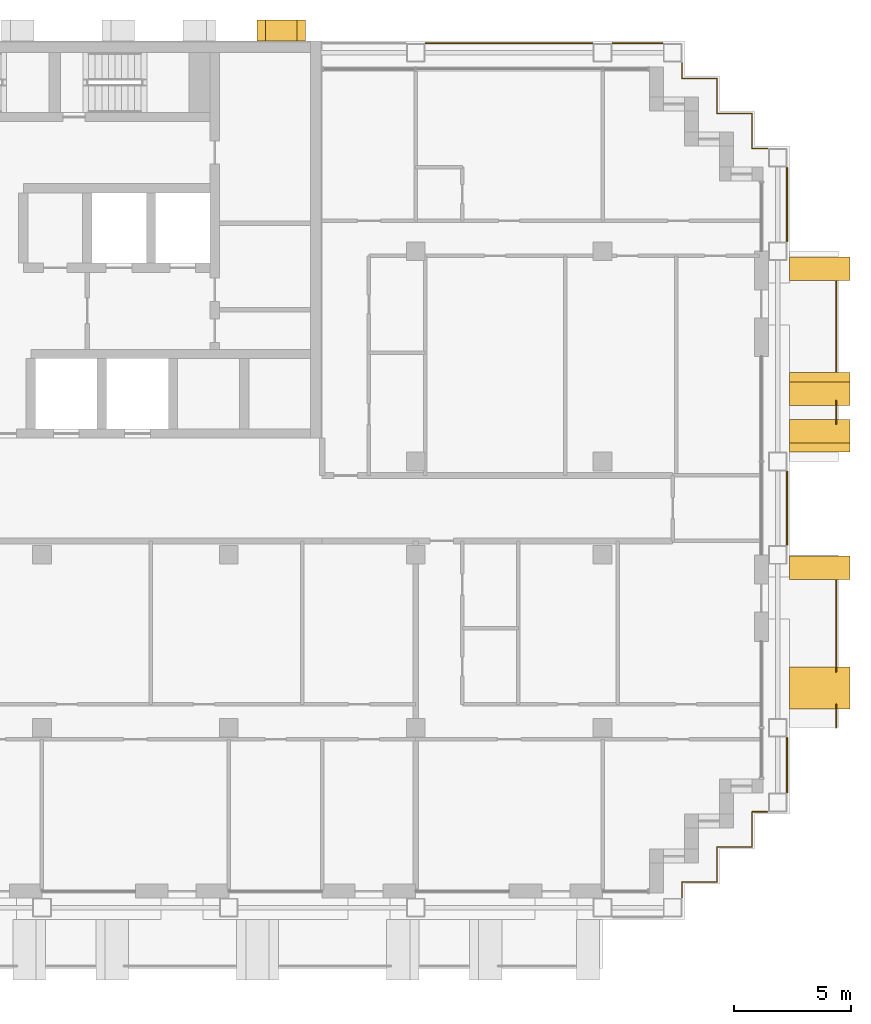
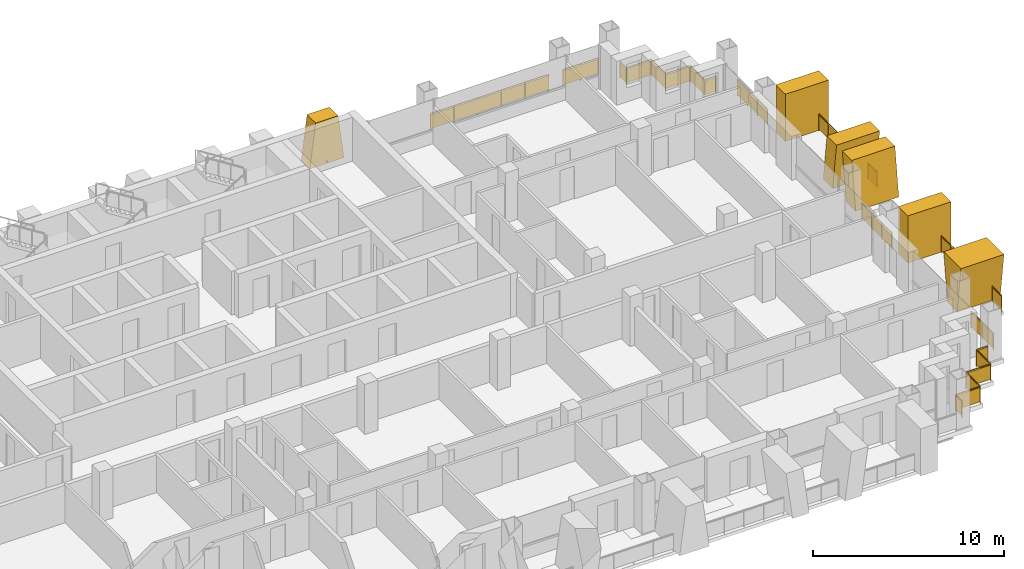
# One storey, part 17 of 17: 11 railings, 6 shading devices.
"""IFC4 building model written with IfcOpenShell, lengths in metres."""

from ifc_helpers import new_model, si_unit, direction, frame, origin, origin_2d, place, context, subcontext, project, spatial, polyline, rectangle, circle, outline, extrude, material, layer, layer_set, type_object, element, save


model = new_model("IFC4")

# Units and contexts
model_context = context("Model", 3, precision=1e-05, world=origin(), true_north=direction((0.0, 1.0)))
body_context = subcontext(model_context, "Body", "Model", "MODEL_VIEW")
ifc_project = project(units=[si_unit("LENGTHUNIT", "METRE"), si_unit("AREAUNIT", "SQUARE_METRE"), si_unit("VOLUMEUNIT", "CUBIC_METRE"), si_unit("PLANEANGLEUNIT", "RADIAN"), si_unit("MASSUNIT", "GRAM", prefix="KILO")], contexts=[model_context])

# Site, building, storey
site_placement = place(None, origin())
site = spatial("IfcSite", under=ifc_project, at=site_placement, CompositionType="ELEMENT")
building_placement = place(site_placement, origin())
building = spatial("IfcBuilding", under=site, at=building_placement, Name="Vidyagriha Tower", CompositionType="ELEMENT")
storey_placement = place(building_placement, frame((0.0, 0.0, 148.60009765625)))
storey = spatial("IfcBuildingStorey", under=building, at=storey_placement, Name="L39", CompositionType="ELEMENT", Elevation=148.60009765625)

# Railings
ifc_material_1 = material(Name="Steel ASTM A500 Grade C black painted", Category="steel")
railing_type_1 = type_object("IfcRailingType", Name="Balcony guard 1100", PredefinedType="BALUSTRADE", material=ifc_material_1)
railing_1_placement = place(storey_placement, frame((36.0, -9.39990234375, 0.0)))
element("IfcRailing", 1, at=railing_1_placement, inside=storey, type_object=railing_type_1, Name="Balcony guard L39 R30.1-1", PredefinedType="BALUSTRADE", context=body_context, shape_type="SweptSolid", body=[
    extrude(circle(Radius=0.02490234375, at=origin_2d()), frame((0.0, 0.0, 1.0751953125), z_axis=(0.0, 1.0, 0.0), x_axis=(-1.0, 0.0, 0.0)), (0.0, 0.0, 1.0), 0.99658203125),
    extrude(circle(Radius=0.02001953125, at=origin_2d()), origin(), (0.0, 0.0, 1.0), 1.050048828125),
    extrude(circle(Radius=0.02001953125, at=origin_2d()), frame((0.0, 0.99658203125, 0.0)), (0.0, 0.0, 1.0), 1.050048828125),
    extrude(rectangle(XDim=0.010009765625, YDim=0.900146484375, at=origin_2d()), frame((0.0, 0.0, 0.550048828125), z_axis=(0.0, 1.0, 0.0), x_axis=(-1.0, 0.0, 0.0)), (0.0, 0.0, 1.0), 0.99658203125),
])
railing_2_placement = place(storey_placement, frame((36.0, -6.99658203125, 0.0)))
element("IfcRailing", 2, at=railing_2_placement, inside=storey, type_object=railing_type_1, Name="Balcony guard L39 R30.1-2", PredefinedType="BALUSTRADE", context=body_context, shape_type="SweptSolid", body=[
    extrude(circle(Radius=0.02490234375, at=origin_2d()), frame((0.0, 0.0, 1.0751953125), z_axis=(0.0, 1.0, 0.0), x_axis=(-1.0, 0.0, 0.0)), (0.0, 0.0, 1.0), 3.896484375),
    extrude(circle(Radius=0.02001953125, at=origin_2d()), origin(), (0.0, 0.0, 1.0), 1.050048828125),
    extrude(circle(Radius=0.02001953125, at=origin_2d()), frame((0.0, 0.97412109375, 0.0)), (0.0, 0.0, 1.0), 1.050048828125),
    extrude(circle(Radius=0.02001953125, at=origin_2d()), frame((0.0, 1.9482421875, 0.0)), (0.0, 0.0, 1.0), 1.050048828125),
    extrude(circle(Radius=0.02001953125, at=origin_2d()), frame((0.0, 2.92236328125, 0.0)), (0.0, 0.0, 1.0), 1.050048828125),
    extrude(circle(Radius=0.02001953125, at=origin_2d()), frame((0.0, 3.896484375, 0.0)), (0.0, 0.0, 1.0), 1.050048828125),
    extrude(rectangle(XDim=0.010009765625, YDim=0.900146484375, at=origin_2d()), frame((0.0, 0.0, 0.550048828125), z_axis=(0.0, 1.0, 0.0), x_axis=(-1.0, 0.0, 0.0)), (0.0, 0.0, 1.0), 3.896484375),
])
railing_3_placement = place(storey_placement, frame((36.0, 3.603271484375, 0.0)))
element("IfcRailing", 3, at=railing_3_placement, inside=storey, type_object=railing_type_1, Name="Balcony guard L39 R30.2-1", PredefinedType="BALUSTRADE", context=body_context, shape_type="SweptSolid", body=[
    extrude(circle(Radius=0.02490234375, at=origin_2d()), frame((0.0, 0.0, 1.0751953125), z_axis=(0.0, 1.0, 0.0), x_axis=(-1.0, 0.0, 0.0)), (0.0, 0.0, 1.0), 0.993408203125),
    extrude(circle(Radius=0.02001953125, at=origin_2d()), origin(), (0.0, 0.0, 1.0), 1.050048828125),
    extrude(circle(Radius=0.02001953125, at=origin_2d()), frame((0.0, 0.993408203125, 0.0)), (0.0, 0.0, 1.0), 1.050048828125),
    extrude(rectangle(XDim=0.010009765625, YDim=0.900146484375, at=origin_2d()), frame((0.0, 0.0, 0.550048828125), z_axis=(0.0, 1.0, 0.0), x_axis=(-1.0, 0.0, 0.0)), (0.0, 0.0, 1.0), 0.993408203125),
])
railing_4_placement = place(storey_placement, frame((36.0, 5.85009765625, 0.0)))
element("IfcRailing", 4, at=railing_4_placement, inside=storey, type_object=railing_type_1, Name="Balcony guard L39 R30.2-2", PredefinedType="BALUSTRADE", context=body_context, shape_type="SweptSolid", body=[
    extrude(circle(Radius=0.02490234375, at=origin_2d()), frame((0.0, 0.0, 1.0751953125), z_axis=(0.0, 1.0, 0.0), x_axis=(-1.0, 0.0, 0.0)), (0.0, 0.0, 1.0), 3.849853515625),
    extrude(circle(Radius=0.02001953125, at=origin_2d()), origin(), (0.0, 0.0, 1.0), 1.050048828125),
    extrude(circle(Radius=0.02001953125, at=origin_2d()), frame((0.0, 0.96240234375, 0.0)), (0.0, 0.0, 1.0), 1.050048828125),
    extrude(circle(Radius=0.02001953125, at=origin_2d()), frame((0.0, 1.9248046875, 0.0)), (0.0, 0.0, 1.0), 1.050048828125),
    extrude(circle(Radius=0.02001953125, at=origin_2d()), frame((0.0, 2.887451171875, 0.0)), (0.0, 0.0, 1.0), 1.050048828125),
    extrude(circle(Radius=0.02001953125, at=origin_2d()), frame((0.0, 3.849853515625, 0.0)), (0.0, 0.0, 1.0), 1.050048828125),
    extrude(rectangle(XDim=0.010009765625, YDim=0.900146484375, at=origin_2d()), frame((0.0, 0.0, 0.550048828125), z_axis=(0.0, 1.0, 0.0), x_axis=(-1.0, 0.0, 0.0)), (0.0, 0.0, 1.0), 3.849853515625),
])

# Shading devices
ifc_material_2 = material(Name="Precast concrete C40/50 with buff brick facing", Category="concrete")
ifc_layer_1 = layer(ifc_material_2, 1.0)
ifc_layer_set_1 = layer_set([ifc_layer_1], Name="Precast concrete C40/50 with buff brick facing")
shading_device_type_1 = type_object("IfcShadingDeviceType", Name="Brick-faced blade fin arm leaning 8 degrees", PredefinedType="USERDEFINED", material=ifc_layer_set_1)
shading_device_1_placement = place(storey_placement, frame((35.300048828125, 4.39990234375, 0.0), z_axis=(0.0, 0.0, 1.0), x_axis=(0.0, 1.0, 0.0)))
element("IfcShadingDevice", 5, at=shading_device_1_placement, inside=storey, type_object=shading_device_type_1, Name="Leaning blade fin L39 R30.1360a", ObjectType="BLADE FIN", PredefinedType="USERDEFINED", context=body_context, shape_type="SweptSolid", body=[
    extrude(outline(polyline([(0.39990234375, 0.0), (1.39990234375, 0.0), (1.0, 3.0), (0.0, 3.0), (0.39990234375, 0.0)])), frame((0.0, 1.300048828125, 0.0), z_axis=(0.0, -1.0, 0.0), x_axis=(1.0, 0.0, 0.0)), (0.0, 0.0, 1.0), 2.60009765625),
])
shading_device_2_placement = place(storey_placement, frame((35.300048828125, 2.39990234375, 0.0), z_axis=(0.0, 0.0, 1.0), x_axis=(0.0, 1.0, 0.0)))
element("IfcShadingDevice", 6, at=shading_device_2_placement, inside=storey, type_object=shading_device_type_1, Name="Leaning blade fin L39 R30.1360b", ObjectType="BLADE FIN", PredefinedType="USERDEFINED", context=body_context, shape_type="SweptSolid", body=[
    extrude(outline(polyline([(0.0, 0.0), (1.0, 0.0), (1.39990234375, 3.0), (0.39990234375, 3.0), (0.0, 0.0)])), frame((0.0, 1.300048828125, 0.0), z_axis=(0.0, -1.0, 0.0), x_axis=(1.0, 0.0, 0.0)), (0.0, 0.0, 1.0), 2.60009765625),
])
ifc_material_3 = material(Name="Precast concrete C40/50 with buff brick facing", Category="concrete")
ifc_layer_2 = layer(ifc_material_3, 1.0)
ifc_layer_set_2 = layer_set([ifc_layer_2], Name="Precast concrete C40/50 with buff brick facing")
shading_device_type_2 = type_object("IfcShadingDeviceType", Name="Brick-faced blade fin forking 8 degrees", PredefinedType="USERDEFINED", material=ifc_layer_set_2)
shading_device_3_placement = place(storey_placement, frame((35.300048828125, -8.60009765625, 0.0), z_axis=(0.0, 0.0, 1.0), x_axis=(0.0, 1.0, 0.0)))
element("IfcShadingDevice", 7, at=shading_device_3_placement, inside=storey, type_object=shading_device_type_2, Name="Forked blade fin L39 R30.220a", ObjectType="BLADE FIN", PredefinedType="USERDEFINED", context=body_context, shape_type="SweptSolid", body=[
    extrude(outline(polyline([(0.39990234375, 0.0), (1.39990234375, 0.0), (1.800048828125, 3.0), (0.0, 3.0), (0.39990234375, 0.0)])), frame((0.0, 1.300048828125, 0.0), z_axis=(0.0, -1.0, 0.0), x_axis=(1.0, 0.0, 0.0)), (0.0, 0.0, 1.0), 2.60009765625),
])
ifc_material_4 = material(Name="Precast concrete C40/50 with buff brick facing", Category="concrete")
ifc_layer_3 = layer(ifc_material_4, 1.0)
ifc_layer_set_3 = layer_set([ifc_layer_3], Name="Precast concrete C40/50 with buff brick facing")
shading_device_type_3 = type_object("IfcShadingDeviceType", Name="Brick-faced blade fin stem 1000", PredefinedType="USERDEFINED", material=ifc_layer_set_3)
for number, where, z_axis, x_axis, name in (
    (8, (35.300048828125, -3.050048828125, 0.0), (0.0, 0.0, 1.0), (0.0, 1.0, 0.0), "Stem blade fin L39 R30.960a"),
    (9, (35.300048828125, 9.75, 0.0), (0.0, 0.0, 1.0), (0.0, 1.0, 0.0), "Stem blade fin L39 R30.2260a"),
):
    element("IfcShadingDevice", number, at=place(storey_placement, frame(where, z_axis=z_axis, x_axis=x_axis)), inside=storey, type_object=shading_device_type_3, Name=name, ObjectType="BLADE FIN", PredefinedType="USERDEFINED", context=body_context, shape_type="SweptSolid", body=[
        extrude(outline(polyline([(0.0, 0.0), (1.0, 0.0), (1.0, 3.0), (0.0, 3.0), (0.0, 0.0)])), frame((0.0, 1.300048828125, 0.0), z_axis=(0.0, -1.0, 0.0), x_axis=(1.0, 0.0, 0.0)), (0.0, 0.0, 1.0), 2.60009765625),
    ])
ifc_material_5 = material(Name="Precast concrete C40/50 with brick facing", Category="concrete")
ifc_layer_4 = layer(ifc_material_5, 1.0)
ifc_layer_set_4 = layer_set([ifc_layer_4], Name="Precast concrete C40/50 with brick facing")
shading_device_type_4 = type_object("IfcShadingDeviceType", Name="Brick-faced rear rib forking 8 degrees", PredefinedType="USERDEFINED", material=ifc_layer_set_4)
shading_device_4_placement = place(storey_placement, frame((13.28564453125, 20.449951171875, 0.0), z_axis=(0.0, 0.0, 1.0), x_axis=(-1.0, 0.0, 0.0)))
element("IfcShadingDevice", 10, at=shading_device_4_placement, inside=storey, type_object=shading_device_type_4, Name="Rear rib fork L39 R08.1a", ObjectType="BLADE FIN", PredefinedType="USERDEFINED", context=body_context, shape_type="SweptSolid", body=[
    extrude(outline(polyline([(1.0, 0.0), (1.03564453125, 0.27978515625), (1.0712890625, 0.0), (2.0712890625, 0.0), (1.71435546875, 2.7998046875), (0.357177734375, 2.7998046875), (0.0, 0.0), (1.0, 0.0)])), frame((0.0, 0.449951171875, 0.0), z_axis=(0.0, -1.0, 0.0), x_axis=(1.0, 0.0, 0.0)), (0.0, 0.0, 1.0), 0.89990234375),
])

# Railings
ifc_material_6 = material(Name="Steel ASTM A500 Grade C black painted", Category="steel")
railing_type_2 = type_object("IfcRailingType", Name="Gallery guard 1100", PredefinedType="GUARDRAIL", material=ifc_material_6)
railing_5_placement = place(storey_placement, frame((18.429931640625, 19.89990234375, 0.0)))
element("IfcRailing", 11, at=railing_5_placement, inside=storey, type_object=railing_type_2, Name="Gallery guard L39 10", PredefinedType="GUARDRAIL", context=body_context, shape_type="SweptSolid", body=[
    extrude(circle(Radius=0.02490234375, at=origin_2d()), frame((0.0, 0.0, 1.0751953125), z_axis=(1.0, 0.0, 0.0), x_axis=(0.0, 1.0, 0.0)), (0.0, 0.0, 1.0), 7.14013671875),
    extrude(circle(Radius=0.02001953125, at=origin_2d()), origin(), (0.0, 0.0, 1.0), 1.050048828125),
    extrude(circle(Radius=0.02001953125, at=origin_2d()), frame((1.427978515625, 0.0, 0.0)), (0.0, 0.0, 1.0), 1.050048828125),
    extrude(circle(Radius=0.02001953125, at=origin_2d()), frame((2.85595703125, 0.0, 0.0)), (0.0, 0.0, 1.0), 1.050048828125),
    extrude(circle(Radius=0.02001953125, at=origin_2d()), frame((4.2841796875, 0.0, 0.0)), (0.0, 0.0, 1.0), 1.050048828125),
    extrude(circle(Radius=0.02001953125, at=origin_2d()), frame((5.712158203125, 0.0, 0.0)), (0.0, 0.0, 1.0), 1.050048828125),
    extrude(circle(Radius=0.02001953125, at=origin_2d()), frame((7.14013671875, 0.0, 0.0)), (0.0, 0.0, 1.0), 1.050048828125),
    extrude(rectangle(XDim=0.010009765625, YDim=0.900146484375, at=origin_2d()), frame((0.0, 0.0, 0.550048828125), z_axis=(1.0, 0.0, 0.0), x_axis=(0.0, 1.0, 0.0)), (0.0, 0.0, 1.0), 7.14013671875),
])
railing_6_placement = place(storey_placement, frame((26.429931640625, 19.89990234375, 0.0)))
element("IfcRailing", 12, at=railing_6_placement, inside=storey, type_object=railing_type_2, Name="Gallery guard L39 12", PredefinedType="GUARDRAIL", context=body_context, shape_type="SweptSolid", body=[
    extrude(circle(Radius=0.02490234375, at=origin_2d()), frame((0.0, 0.0, 1.0751953125), z_axis=(1.0, 0.0, 0.0), x_axis=(0.0, 1.0, 0.0)), (0.0, 0.0, 1.0), 2.14013671875),
    extrude(circle(Radius=0.02001953125, at=origin_2d()), origin(), (0.0, 0.0, 1.0), 1.050048828125),
    extrude(circle(Radius=0.02001953125, at=origin_2d()), frame((1.070068359375, 0.0, 0.0)), (0.0, 0.0, 1.0), 1.050048828125),
    extrude(circle(Radius=0.02001953125, at=origin_2d()), frame((2.14013671875, 0.0, 0.0)), (0.0, 0.0, 1.0), 1.050048828125),
    extrude(rectangle(XDim=0.010009765625, YDim=0.900146484375, at=origin_2d()), frame((0.0, 0.0, 0.550048828125), z_axis=(1.0, 0.0, 0.0), x_axis=(0.0, 1.0, 0.0)), (0.0, 0.0, 1.0), 2.14013671875),
])
railing_7_placement = place(storey_placement, frame((33.070068359375, -13.0, 0.0)))
element("IfcRailing", 13, at=railing_7_placement, inside=storey, type_object=railing_type_2, Name="Gallery guard L39 13", PredefinedType="GUARDRAIL", context=body_context, shape_type="SweptSolid", body=[
    extrude(circle(Radius=0.02490234375, at=origin_2d()), frame((0.0, 0.0, 1.0751953125), z_axis=(-1.0, 0.0, 0.0), x_axis=(0.0, -1.0, 0.0)), (0.0, 0.0, 1.0), 0.670166015625),
    extrude(circle(Radius=0.02490234375, at=origin_2d()), frame((-0.670166015625, 0.0, 1.0751953125), z_axis=(0.0, -1.0, 0.0), x_axis=(1.0, 0.0, 0.0)), (0.0, 0.0, 1.0), 1.5),
    extrude(circle(Radius=0.02490234375, at=origin_2d()), frame((-0.670166015625, -1.5, 1.0751953125), z_axis=(-1.0, 0.0, 0.0), x_axis=(0.0, -1.0, 0.0)), (0.0, 0.0, 1.0), 1.5),
    extrude(circle(Radius=0.02490234375, at=origin_2d()), frame((-2.170166015625, -1.5, 1.0751953125), z_axis=(0.0, -1.0, 0.0), x_axis=(1.0, 0.0, 0.0)), (0.0, 0.0, 1.0), 1.5),
    extrude(circle(Radius=0.02490234375, at=origin_2d()), frame((-2.170166015625, -3.0, 1.0751953125), z_axis=(-1.0, 0.0, 0.0), x_axis=(0.0, -1.0, 0.0)), (0.0, 0.0, 1.0), 1.5),
    extrude(circle(Radius=0.02490234375, at=origin_2d()), frame((-3.670166015625, -3.0, 1.0751953125), z_axis=(0.0, -1.0, 0.0), x_axis=(1.0, 0.0, 0.0)), (0.0, 0.0, 1.0), 0.669921875),
    extrude(circle(Radius=0.02001953125, at=origin_2d()), origin(), (0.0, 0.0, 1.0), 1.050048828125),
    extrude(circle(Radius=0.02001953125, at=origin_2d()), frame((-0.670166015625, 0.0, 0.0)), (0.0, 0.0, 1.0), 1.050048828125),
    extrude(circle(Radius=0.02001953125, at=origin_2d()), frame((-0.670166015625, -1.5, 0.0)), (0.0, 0.0, 1.0), 1.050048828125),
    extrude(circle(Radius=0.02001953125, at=origin_2d()), frame((-2.170166015625, -1.5, 0.0)), (0.0, 0.0, 1.0), 1.050048828125),
    extrude(circle(Radius=0.02001953125, at=origin_2d()), frame((-2.170166015625, -3.0, 0.0)), (0.0, 0.0, 1.0), 1.050048828125),
    extrude(circle(Radius=0.02001953125, at=origin_2d()), frame((-3.670166015625, -3.0, 0.0)), (0.0, 0.0, 1.0), 1.050048828125),
    extrude(circle(Radius=0.02001953125, at=origin_2d()), frame((-3.670166015625, -3.669921875, 0.0)), (0.0, 0.0, 1.0), 1.050048828125),
    extrude(rectangle(XDim=0.010009765625, YDim=0.900146484375, at=origin_2d()), frame((0.0, 0.0, 0.550048828125), z_axis=(-1.0, 0.0, 0.0), x_axis=(0.0, -1.0, 0.0)), (0.0, 0.0, 1.0), 0.670166015625),
    extrude(rectangle(XDim=0.010009765625, YDim=0.900146484375, at=origin_2d()), frame((-0.670166015625, 0.0, 0.550048828125), z_axis=(0.0, -1.0, 0.0), x_axis=(1.0, 0.0, 0.0)), (0.0, 0.0, 1.0), 1.5),
    extrude(rectangle(XDim=0.010009765625, YDim=0.900146484375, at=origin_2d()), frame((-0.670166015625, -1.5, 0.550048828125), z_axis=(-1.0, 0.0, 0.0), x_axis=(0.0, -1.0, 0.0)), (0.0, 0.0, 1.0), 1.5),
    extrude(rectangle(XDim=0.010009765625, YDim=0.900146484375, at=origin_2d()), frame((-2.170166015625, -1.5, 0.550048828125), z_axis=(0.0, -1.0, 0.0), x_axis=(1.0, 0.0, 0.0)), (0.0, 0.0, 1.0), 1.5),
    extrude(rectangle(XDim=0.010009765625, YDim=0.900146484375, at=origin_2d()), frame((-2.170166015625, -3.0, 0.550048828125), z_axis=(-1.0, 0.0, 0.0), x_axis=(0.0, -1.0, 0.0)), (0.0, 0.0, 1.0), 1.5),
    extrude(rectangle(XDim=0.010009765625, YDim=0.900146484375, at=origin_2d()), frame((-3.670166015625, -3.0, 0.550048828125), z_axis=(0.0, -1.0, 0.0), x_axis=(1.0, 0.0, 0.0)), (0.0, 0.0, 1.0), 0.669921875),
])
railing_8_placement = place(storey_placement, frame((29.39990234375, 19.070068359375, 0.0)))
element("IfcRailing", 14, at=railing_8_placement, inside=storey, type_object=railing_type_2, Name="Gallery guard L39 14", PredefinedType="GUARDRAIL", context=body_context, shape_type="SweptSolid", body=[
    extrude(circle(Radius=0.02490234375, at=origin_2d()), frame((0.0, 0.0, 1.0751953125), z_axis=(0.0, -1.0, 0.0), x_axis=(1.0, 0.0, 0.0)), (0.0, 0.0, 1.0), 0.670166015625),
    extrude(circle(Radius=0.02490234375, at=origin_2d()), frame((0.0, -0.670166015625, 1.0751953125), z_axis=(1.0, 0.0, 0.0), x_axis=(0.0, 1.0, 0.0)), (0.0, 0.0, 1.0), 1.5),
    extrude(circle(Radius=0.02490234375, at=origin_2d()), frame((1.5, -0.670166015625, 1.0751953125), z_axis=(0.0, -1.0, 0.0), x_axis=(1.0, 0.0, 0.0)), (0.0, 0.0, 1.0), 1.5),
    extrude(circle(Radius=0.02490234375, at=origin_2d()), frame((1.5, -2.170166015625, 1.0751953125), z_axis=(1.0, 0.0, 0.0), x_axis=(0.0, 1.0, 0.0)), (0.0, 0.0, 1.0), 1.5),
    extrude(circle(Radius=0.02490234375, at=origin_2d()), frame((3.0, -2.170166015625, 1.0751953125), z_axis=(0.0, -1.0, 0.0), x_axis=(1.0, 0.0, 0.0)), (0.0, 0.0, 1.0), 1.5),
    extrude(circle(Radius=0.02490234375, at=origin_2d()), frame((3.0, -3.670166015625, 1.0751953125), z_axis=(1.0, 0.0, 0.0), x_axis=(0.0, 1.0, 0.0)), (0.0, 0.0, 1.0), 0.670166015625),
    extrude(circle(Radius=0.02001953125, at=origin_2d()), origin(), (0.0, 0.0, 1.0), 1.050048828125),
    extrude(circle(Radius=0.02001953125, at=origin_2d()), frame((0.0, -0.670166015625, 0.0)), (0.0, 0.0, 1.0), 1.050048828125),
    extrude(circle(Radius=0.02001953125, at=origin_2d()), frame((1.5, -0.670166015625, 0.0)), (0.0, 0.0, 1.0), 1.050048828125),
    extrude(circle(Radius=0.02001953125, at=origin_2d()), frame((1.5, -2.170166015625, 0.0)), (0.0, 0.0, 1.0), 1.050048828125),
    extrude(circle(Radius=0.02001953125, at=origin_2d()), frame((3.0, -2.170166015625, 0.0)), (0.0, 0.0, 1.0), 1.050048828125),
    extrude(circle(Radius=0.02001953125, at=origin_2d()), frame((3.0, -3.670166015625, 0.0)), (0.0, 0.0, 1.0), 1.050048828125),
    extrude(circle(Radius=0.02001953125, at=origin_2d()), frame((3.670166015625, -3.670166015625, 0.0)), (0.0, 0.0, 1.0), 1.050048828125),
    extrude(rectangle(XDim=0.010009765625, YDim=0.900146484375, at=origin_2d()), frame((0.0, 0.0, 0.550048828125), z_axis=(0.0, -1.0, 0.0), x_axis=(1.0, 0.0, 0.0)), (0.0, 0.0, 1.0), 0.670166015625),
    extrude(rectangle(XDim=0.010009765625, YDim=0.900146484375, at=origin_2d()), frame((0.0, -0.670166015625, 0.550048828125), z_axis=(1.0, 0.0, 0.0), x_axis=(0.0, 1.0, 0.0)), (0.0, 0.0, 1.0), 1.5),
    extrude(rectangle(XDim=0.010009765625, YDim=0.900146484375, at=origin_2d()), frame((1.5, -0.670166015625, 0.550048828125), z_axis=(0.0, -1.0, 0.0), x_axis=(1.0, 0.0, 0.0)), (0.0, 0.0, 1.0), 1.5),
    extrude(rectangle(XDim=0.010009765625, YDim=0.900146484375, at=origin_2d()), frame((1.5, -2.170166015625, 0.550048828125), z_axis=(1.0, 0.0, 0.0), x_axis=(0.0, 1.0, 0.0)), (0.0, 0.0, 1.0), 1.5),
    extrude(rectangle(XDim=0.010009765625, YDim=0.900146484375, at=origin_2d()), frame((3.0, -2.170166015625, 0.550048828125), z_axis=(0.0, -1.0, 0.0), x_axis=(1.0, 0.0, 0.0)), (0.0, 0.0, 1.0), 1.5),
    extrude(rectangle(XDim=0.010009765625, YDim=0.900146484375, at=origin_2d()), frame((3.0, -3.670166015625, 0.550048828125), z_axis=(1.0, 0.0, 0.0), x_axis=(0.0, 1.0, 0.0)), (0.0, 0.0, 1.0), 0.670166015625),
])
railing_9_placement = place(storey_placement, frame((33.89990234375, -9.830078125, 0.0)))
element("IfcRailing", 15, at=railing_9_placement, inside=storey, type_object=railing_type_2, Name="Gallery guard L39 15", PredefinedType="GUARDRAIL", context=body_context, shape_type="SweptSolid", body=[
    extrude(circle(Radius=0.02490234375, at=origin_2d()), frame((0.0, 0.0, 1.0751953125), z_axis=(0.0, -1.0, 0.0), x_axis=(1.0, 0.0, 0.0)), (0.0, 0.0, 1.0), 2.33984375),
    extrude(circle(Radius=0.02001953125, at=origin_2d()), origin(), (0.0, 0.0, 1.0), 1.050048828125),
    extrude(circle(Radius=0.02001953125, at=origin_2d()), frame((0.0, -1.169921875, 0.0)), (0.0, 0.0, 1.0), 1.050048828125),
    extrude(circle(Radius=0.02001953125, at=origin_2d()), frame((0.0, -2.33984375, 0.0)), (0.0, 0.0, 1.0), 1.050048828125),
    extrude(rectangle(XDim=0.010009765625, YDim=0.900146484375, at=origin_2d()), frame((0.0, 0.0, 0.550048828125), z_axis=(0.0, -1.0, 0.0), x_axis=(1.0, 0.0, 0.0)), (0.0, 0.0, 1.0), 2.33984375),
])
for number, where, name in (
    (16, (33.89990234375, 1.570068359375, 0.0), "Gallery guard L39 16"),
    (17, (33.89990234375, 14.570068359375, 0.0), "Gallery guard L39 17"),
):
    element("IfcRailing", number, at=place(storey_placement, frame(where)), inside=storey, type_object=railing_type_2, Name=name, PredefinedType="GUARDRAIL", context=body_context, shape_type="SweptSolid", body=[
        extrude(circle(Radius=0.02490234375, at=origin_2d()), frame((0.0, 0.0, 1.0751953125), z_axis=(0.0, -1.0, 0.0), x_axis=(1.0, 0.0, 0.0)), (0.0, 0.0, 1.0), 3.14013671875),
        extrude(circle(Radius=0.02001953125, at=origin_2d()), origin(), (0.0, 0.0, 1.0), 1.050048828125),
        extrude(circle(Radius=0.02001953125, at=origin_2d()), frame((0.0, -1.046630859375, 0.0)), (0.0, 0.0, 1.0), 1.050048828125),
        extrude(circle(Radius=0.02001953125, at=origin_2d()), frame((0.0, -2.093505859375, 0.0)), (0.0, 0.0, 1.0), 1.050048828125),
        extrude(circle(Radius=0.02001953125, at=origin_2d()), frame((0.0, -3.14013671875, 0.0)), (0.0, 0.0, 1.0), 1.050048828125),
        extrude(rectangle(XDim=0.010009765625, YDim=0.900146484375, at=origin_2d()), frame((0.0, 0.0, 0.550048828125), z_axis=(0.0, -1.0, 0.0), x_axis=(1.0, 0.0, 0.0)), (0.0, 0.0, 1.0), 3.14013671875),
    ])

save(model, "model.ifc")
